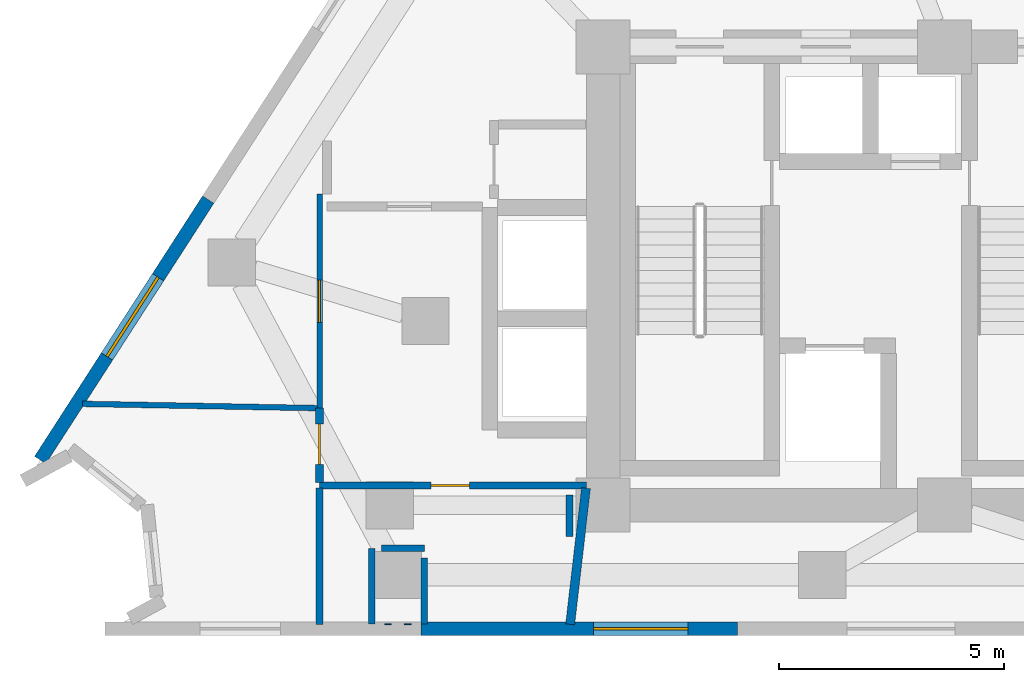
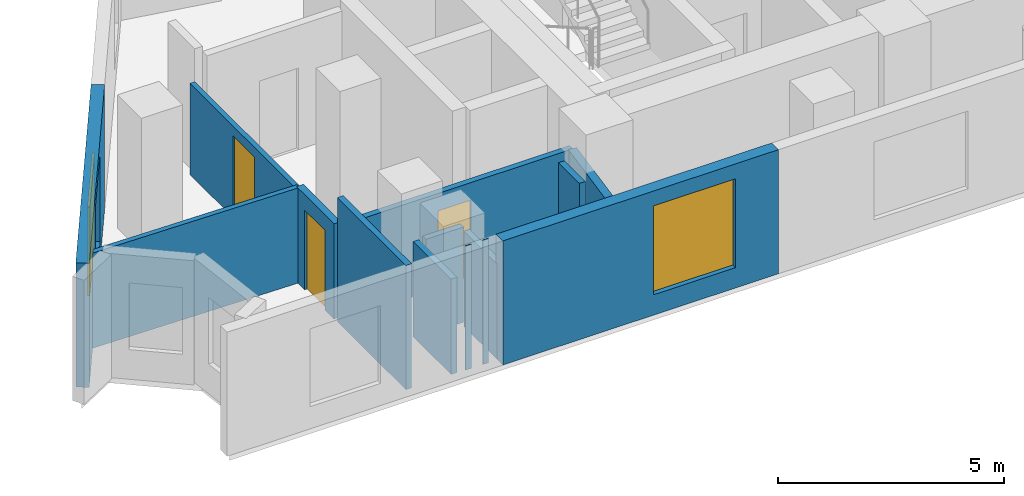
# One storey, part 5 of 10: 14 walls, 3 doors, 2 windows, 5 openings.
"""IFC4 building model written with IfcOpenShell, lengths in metres."""

from ifc_helpers import new_model, si_unit, direction, frame, frame_2d, origin, place, context, subcontext, project, spatial, rectangle, extrude, material, layer, layer_set, type_object, element, fill, save


model = new_model("IFC4")

# Units and contexts
model_context = context("Model", 3, precision=1e-05, world=origin(), true_north=direction((0.0, 1.0)))
body_context = subcontext(model_context, "Body", "Model", "MODEL_VIEW")
ifc_project = project(units=[si_unit("LENGTHUNIT", "METRE"), si_unit("AREAUNIT", "SQUARE_METRE"), si_unit("VOLUMEUNIT", "CUBIC_METRE"), si_unit("PLANEANGLEUNIT", "RADIAN"), si_unit("MASSUNIT", "GRAM", prefix="KILO")], contexts=[model_context])

# Site, building, storey
site_placement = place(None, origin())
site = spatial("IfcSite", under=ifc_project, at=site_placement, CompositionType="ELEMENT")
building_placement = place(site_placement, origin())
building = spatial("IfcBuilding", under=site, at=building_placement, Name="Almagre Mirador Tower", CompositionType="ELEMENT")
storey_placement = place(building_placement, frame((0.0, 0.0, 186.0)))
storey = spatial("IfcBuildingStorey", under=building, at=storey_placement, Name="L48", CompositionType="ELEMENT", Elevation=186.0)

# Wall, opening, window
ifc_material_1 = material(Name="Precast concrete C50/60", Category="concrete")
ifc_layer_1 = layer(ifc_material_1, 0.300048828125)
ifc_layer_set_1 = layer_set([ifc_layer_1], Name="Precast concrete C50/60")
wall_type_1 = type_object("IfcWallType", Name="WAL-EXT-300", PredefinedType="SOLIDWALL", material=ifc_layer_set_1)
wall_1_placement = place(storey_placement, frame((30.537353515625, 1.800048828125, 0.0), z_axis=(0.0, 0.0, 1.0), x_axis=(-1.0, 0.0, 0.0)))
wall_1 = element("IfcWall", 1, at=wall_1_placement, inside=storey, type_object=wall_type_1, Name="L48 expressed almagre precast frame wall 25", PredefinedType="SOLIDWALL", context=body_context, shape_type="SweptSolid", body=[
    extrude(rectangle(XDim=7.03857421875, YDim=0.300048828125, at=frame_2d((3.519287109375, 0.0))), origin(), (0.0, 0.0, 1.0), 3.35009765625),
])
opening_1_placement = place(wall_1_placement, frame((1.10009765625, 0.0, 0.550048828125)))
opening_1 = element("IfcOpeningElement", 2, at=opening_1_placement, cuts=wall_1, Name="Opening WN-05", PredefinedType="OPENING", context=body_context, shape_type="SweptSolid", body=[
    extrude(rectangle(XDim=2.10009765625, YDim=2.39990234375, at=frame_2d((1.050048828125, 1.199951171875))), frame((0.0, 0.159902, 0.0), z_axis=(0.0, -1.0, 0.0), x_axis=(1.0, 0.0, 0.0)), (0.0, 0.0, 1.0), 0.320049),
])
ifc_material_2 = material(Name="Dark solar-control laminated hurricane glass", Category="glass")
window_type = type_object("IfcWindowType", Name="WIN-2100X2400", PartitioningType="DOUBLE_PANEL_VERTICAL", PredefinedType="WINDOW", material=ifc_material_2)
window_1_placement = place(opening_1_placement, origin())
window_1 = element("IfcWindow", 3, at=window_1_placement, inside=storey, type_object=window_type, Name="L48 recessed hurricane window L48-UB-BT", OverallHeight=2.39990234375, OverallWidth=2.10009765625, PartitioningType="SINGLE_PANEL", PredefinedType="WINDOW", context=body_context, shape_type="SweptSolid", body=[
    extrude(rectangle(XDim=2.10009765625, YDim=2.39990234375, at=frame_2d((1.050048828125, 1.199951171875))), frame((0.0, 0.030029296875, 0.0), z_axis=(0.0, -1.0, 0.0), x_axis=(1.0, 0.0, 0.0)), (0.0, 0.0, 1.0), 0.06005859375),
])
fill(opening_1, window_1)

wall_2_placement = place(storey_placement, frame((15.022705078125, 5.555908203125, 0.0), z_axis=(0.0, 0.0, 1.0), x_axis=(0.542022034858, 0.840364274424, 0.0)))
wall_2 = element("IfcWall", 4, at=wall_2_placement, inside=storey, type_object=wall_type_1, Name="L48 expressed almagre precast frame wall 31", PredefinedType="SOLIDWALL", context=body_context, shape_type="SweptSolid", body=[
    extrude(rectangle(XDim=6.89599609375, YDim=0.300048828125, at=frame_2d((3.447998046875, 0.0))), origin(), (0.0, 0.0, 1.0), 3.35009765625),
])
opening_2_placement = place(wall_2_placement, frame((2.739990234375, 0.0, 0.550048828125)))
opening_2 = element("IfcOpeningElement", 5, at=opening_2_placement, cuts=wall_2, Name="Opening WN-05", PredefinedType="OPENING", context=body_context, shape_type="SweptSolid", body=[
    extrude(rectangle(XDim=2.10009765625, YDim=2.39990234375, at=frame_2d((1.050048828125, 1.199951171875))), frame((0.0, 0.159902, 0.0), z_axis=(0.0, -1.0, 0.0), x_axis=(1.0, 0.0, 0.0)), (0.0, 0.0, 1.0), 0.320049),
])
window_2_placement = place(opening_2_placement, origin())
window_2 = element("IfcWindow", 6, at=window_2_placement, inside=storey, type_object=window_type, Name="L48 recessed hurricane window L48-UA-KT", OverallHeight=2.39990234375, OverallWidth=2.10009765625, PartitioningType="SINGLE_PANEL", PredefinedType="WINDOW", context=body_context, shape_type="SweptSolid", body=[
    extrude(rectangle(XDim=2.10009765625, YDim=2.39990234375, at=frame_2d((1.050048828125, 1.199951171875))), frame((0.0, 0.030029296875, 0.0), z_axis=(0.0, -1.0, 0.0), x_axis=(1.0, 0.0, 0.0)), (0.0, 0.0, 1.0), 0.06005859375),
])
fill(opening_2, window_2)

# Wall, opening, door
ifc_material_3 = material(Name="Gypsum acoustic stud partition", Category="other")
ifc_layer_2 = layer(ifc_material_3, 0.125)
ifc_layer_set_2 = layer_set([ifc_layer_2], Name="Gypsum acoustic stud partition")
wall_type_2 = type_object("IfcWallType", Name="WAL-PRT-125-UTL", PredefinedType="PARTITIONING", material=ifc_layer_set_2)
wall_3_placement = place(storey_placement, frame((21.239990234375, 11.469970703125, 0.0), z_axis=(0.0, 0.0, 1.0), x_axis=(0.0, -1.0, 0.0)))
wall_3 = element("IfcWall", 7, at=wall_3_placement, inside=storey, type_object=wall_type_2, Name="L48 interior partition 023", PredefinedType="PARTITIONING", context=body_context, shape_type="SweptSolid", body=[
    extrude(rectangle(XDim=4.760009765625, YDim=0.125, at=frame_2d((2.3798828125, 0.0))), origin(), (0.0, 0.0, 1.0), 2.464111328125),
])
opening_3_placement = place(wall_3_placement, frame((1.905029296875, 0.0, 0.0)))
opening_3 = element("IfcOpeningElement", 8, at=opening_3_placement, cuts=wall_3, Name="Opening UD-01", PredefinedType="OPENING", context=body_context, shape_type="SweptSolid", body=[
    extrude(rectangle(XDim=0.949951171875, YDim=2.199951171875, at=frame_2d((0.47509765625, 1.10009765625))), frame((0.0, 0.0725, 0.0), z_axis=(0.0, -1.0, 0.0), x_axis=(1.0, 0.0, 0.0)), (0.0, 0.0, 1.0), 0.145),
])
ifc_material_4 = material(Name="Solid American walnut timber", Category="wood")
door_type_1 = type_object("IfcDoorType", Name="DOR-UNR-950X2200", OperationType="NOTDEFINED", PredefinedType="DOOR", material=ifc_material_4)
door_1_placement = place(opening_3_placement, origin())
door_1 = element("IfcDoor", 9, at=door_1_placement, inside=storey, type_object=door_type_1, Name="DR-1518 L48 interior door L48-UA-LV to L48-UA-KT", OperationType="SINGLE_SWING_RIGHT", OverallHeight=2.199951171875, OverallWidth=0.949951171875, PredefinedType="DOOR", context=body_context, shape_type="SweptSolid", body=[
    extrude(rectangle(XDim=0.949951171875, YDim=2.199951171875, at=frame_2d((0.47509765625, 1.10009765625))), frame((0.0, 0.02490234375, 0.0), z_axis=(0.0, -1.0, 0.0), x_axis=(1.0, 0.0, 0.0)), (0.0, 0.0, 1.0), 0.050048828125),
])
fill(opening_3, door_1)

# Wall
wall_4_placement = place(storey_placement, frame((15.962890625, 6.804931640625, 0.0), z_axis=(0.0, 0.0, 1.0), x_axis=(0.999837669576, -0.018017616268, 0.0)))
element("IfcWall", 10, at=wall_4_placement, inside=storey, type_object=wall_type_2, Name="L48 interior partition 027", PredefinedType="PARTITIONING", context=body_context, shape_type="SweptSolid", body=[
    extrude(rectangle(XDim=5.230224609375, YDim=0.125, at=frame_2d((2.615234375, 0.0))), origin(), (0.0, 0.0, 1.0), 2.570068359375),
])

# Wall, opening, door
ifc_material_5 = material(Name="Gypsum acoustic stud partition", Category="other")
ifc_layer_3 = layer(ifc_material_5, 0.14990234375)
ifc_layer_set_3 = layer_set([ifc_layer_3], Name="Gypsum acoustic stud partition")
wall_type_3 = type_object("IfcWallType", Name="WAL-PRT-150-STD", PredefinedType="PARTITIONING", material=ifc_layer_set_3)
wall_5_placement = place(storey_placement, frame((21.239990234375, 4.989990234375, 0.0), z_axis=(0.0, 0.0, 1.0), x_axis=(1.0, 0.0, 0.0)))
wall_5 = element("IfcWall", 11, at=wall_5_placement, inside=storey, type_object=wall_type_3, Name="L48 interior partition 022", PredefinedType="PARTITIONING", context=body_context, shape_type="SweptSolid", body=[
    extrude(rectangle(XDim=5.93505859375, YDim=0.14990234375, at=frame_2d((2.967529296875, 0.0))), origin(), (0.0, 0.0, 1.0), 2.570068359375),
])
opening_4_placement = place(wall_5_placement, frame((2.48388671875, 0.0, 0.0)))
opening_4 = element("IfcOpeningElement", 12, at=opening_4_placement, cuts=wall_5, Name="Opening UD-04", PredefinedType="OPENING", context=body_context, shape_type="SweptSolid", body=[
    extrude(rectangle(XDim=0.85009765625, YDim=2.10009765625, at=frame_2d((0.425048828125, 1.050048828125))), frame((0.0, 0.084951, 0.0), z_axis=(0.0, -1.0, 0.0), x_axis=(1.0, 0.0, 0.0)), (0.0, 0.0, 1.0), 0.169902),
])
ifc_material_6 = material(Name="Moisture-resistant oak timber", Category="wood")
door_type_2 = type_object("IfcDoorType", Name="DOR-UNR-850X2100", OperationType="NOTDEFINED", PredefinedType="DOOR", material=ifc_material_6)
door_2_placement = place(opening_4_placement, origin())
door_2 = element("IfcDoor", 13, at=door_2_placement, inside=storey, type_object=door_type_2, Name="DR-1519 L48 interior door L48-UA-LV to L48-UA-HB", OperationType="SINGLE_SWING_LEFT", OverallHeight=2.10009765625, OverallWidth=0.85009765625, PredefinedType="DOOR", context=body_context, shape_type="SweptSolid", body=[
    extrude(rectangle(XDim=0.85009765625, YDim=2.10009765625, at=frame_2d((0.425048828125, 1.050048828125))), frame((0.0, 0.02490234375, 0.0), z_axis=(0.0, -1.0, 0.0), x_axis=(1.0, 0.0, 0.0)), (0.0, 0.0, 1.0), 0.050048828125),
])
fill(opening_4, door_2)

# Walls
wall_6_placement = place(storey_placement, frame((21.239990234375, 4.929931640625, 0.0), z_axis=(0.0, 0.0, 1.0), x_axis=(0.0, -1.0, 0.0)))
element("IfcWall", 14, at=wall_6_placement, inside=storey, type_object=wall_type_3, Name="L48 interior partition 025", PredefinedType="PARTITIONING", context=body_context, shape_type="SweptSolid", body=[
    extrude(rectangle(XDim=3.030029296875, YDim=0.14990234375, at=frame_2d((1.51513671875, 0.0))), origin(), (0.0, 0.0, 1.0), 3.35009765625),
])
wall_7_placement = place(storey_placement, frame((22.760009765625, 1.888916015625, 0.0), z_axis=(0.0, 0.0, 1.0), x_axis=(0.0, 1.0, 0.0)))
element("IfcWall", 15, at=wall_7_placement, inside=storey, type_object=wall_type_3, Name="L48 interior partition 056", PredefinedType="PARTITIONING", context=body_context, shape_type="SweptSolid", body=[
    extrude(rectangle(XDim=0.02001953125, YDim=0.14990234375, at=frame_2d((0.010009765625, 0.0))), origin(), (0.0, 0.0, 1.0), 3.35009765625),
])
wall_8_placement = place(storey_placement, frame((22.39990234375, 1.908935546875, 0.0), z_axis=(0.0, 0.0, 1.0), x_axis=(0.0, 1.0, 0.0)))
element("IfcWall", 16, at=wall_8_placement, inside=storey, type_object=wall_type_3, Name="L48 interior partition 057", PredefinedType="PARTITIONING", context=body_context, shape_type="SweptSolid", body=[
    extrude(rectangle(XDim=1.68115234375, YDim=0.14990234375, at=frame_2d((0.840576171875, 0.0))), origin(), (0.0, 0.0, 1.0), 2.570068359375),
])
wall_9_placement = place(storey_placement, frame((22.614990234375, 3.590087890625, 0.0), z_axis=(0.0, 0.0, 1.0), x_axis=(1.0, 0.0, 0.0)))
element("IfcWall", 17, at=wall_9_placement, inside=storey, type_object=wall_type_3, Name="L48 interior partition 058", PredefinedType="PARTITIONING", context=body_context, shape_type="SweptSolid", body=[
    extrude(rectangle(XDim=0.955078125, YDim=0.14990234375, at=frame_2d((0.4775390625, 0.0))), origin(), (0.0, 0.0, 1.0), 2.570068359375),
])
wall_10_placement = place(storey_placement, frame((23.570068359375, 3.375, 0.0), z_axis=(0.0, 0.0, 1.0), x_axis=(0.0, -1.0, 0.0)))
element("IfcWall", 18, at=wall_10_placement, inside=storey, type_object=wall_type_3, Name="L48 interior partition 059", PredefinedType="PARTITIONING", context=body_context, shape_type="SweptSolid", body=[
    extrude(rectangle(XDim=1.466064453125, YDim=0.14990234375, at=frame_2d((0.73291015625, 0.0))), origin(), (0.0, 0.0, 1.0), 2.570068359375),
])
wall_11_placement = place(storey_placement, frame((23.199951171875, 1.908935546875, 0.0), z_axis=(0.0, 0.0, 1.0), x_axis=(0.0, -1.0, 0.0)))
element("IfcWall", 19, at=wall_11_placement, inside=storey, type_object=wall_type_3, Name="L48 interior partition 060", PredefinedType="PARTITIONING", context=body_context, shape_type="SweptSolid", body=[
    extrude(rectangle(XDim=0.02001953125, YDim=0.14990234375, at=frame_2d((0.010009765625, 0.0))), origin(), (0.0, 0.0, 1.0), 3.35009765625),
])
wall_12_placement = place(storey_placement, frame((26.800048828125, 3.85595703125, 0.0), z_axis=(0.0, 0.0, 1.0), x_axis=(0.0, 1.0, 0.0)))
element("IfcWall", 20, at=wall_12_placement, inside=storey, type_object=wall_type_3, Name="L48 interior partition 062", PredefinedType="PARTITIONING", context=body_context, shape_type="SweptSolid", body=[
    extrude(rectangle(XDim=0.9189453125, YDim=0.14990234375, at=frame_2d((0.45947265625, 0.0))), origin(), (0.0, 0.0, 1.0), 2.43603515625),
])

# Wall, opening, door
ifc_material_7 = material(Name="Gypsum acoustic stud partition", Category="other")
ifc_layer_4 = layer(ifc_material_7, 0.175048828125)
ifc_layer_set_4 = layer_set([ifc_layer_4], Name="Gypsum acoustic stud partition")
wall_type_4 = type_object("IfcWallType", Name="WAL-PRT-175-AC", PredefinedType="PARTITIONING", material=ifc_layer_set_4)
wall_13_placement = place(storey_placement, frame((21.239990234375, 6.7099609375, 0.0), z_axis=(0.0, 0.0, 1.0), x_axis=(0.0, -1.0, 0.0)))
wall_13 = element("IfcWall", 21, at=wall_13_placement, inside=storey, type_object=wall_type_4, Name="L48 interior partition 024", PredefinedType="PARTITIONING", context=body_context, shape_type="SweptSolid", body=[
    extrude(rectangle(XDim=1.659912109375, YDim=0.175048828125, at=frame_2d((0.830078125, 0.0))), origin(), (0.0, 0.0, 1.0), 2.570068359375),
])
opening_5_placement = place(wall_13_placement, frame((0.35595703125, 0.0, 0.0)))
opening_5 = element("IfcOpeningElement", 22, at=opening_5_placement, cuts=wall_13, Name="Opening UD-02", PredefinedType="OPENING", context=body_context, shape_type="SweptSolid", body=[
    extrude(rectangle(XDim=0.89990234375, YDim=2.14990234375, at=frame_2d((0.449951171875, 1.074951171875))), frame((0.0, 0.097402, 0.0), z_axis=(0.0, -1.0, 0.0), x_axis=(1.0, 0.0, 0.0)), (0.0, 0.0, 1.0), 0.195049),
])
ifc_material_8 = material(Name="Solid American walnut timber", Category="wood")
door_type_3 = type_object("IfcDoorType", Name="DOR-UNR-900X2150", OperationType="NOTDEFINED", PredefinedType="DOOR", material=ifc_material_8)
door_3_placement = place(opening_5_placement, origin())
door_3 = element("IfcDoor", 23, at=door_3_placement, inside=storey, type_object=door_type_3, Name="DR-1520 L48 interior door L48-UA-LV to L48-UA-MB", OperationType="SINGLE_SWING_RIGHT", OverallHeight=2.14990234375, OverallWidth=0.89990234375, PredefinedType="DOOR", context=body_context, shape_type="SweptSolid", body=[
    extrude(rectangle(XDim=0.89990234375, YDim=2.14990234375, at=frame_2d((0.449951171875, 1.074951171875))), frame((0.0, 0.02490234375, 0.0), z_axis=(0.0, -1.0, 0.0), x_axis=(1.0, 0.0, 0.0)), (0.0, 0.0, 1.0), 0.050048828125),
])
fill(opening_5, door_3)

# Wall
ifc_material_9 = material(Name="Gypsum acoustic stud partition", Category="other")
ifc_layer_5 = layer(ifc_material_9, 0.199951171875)
ifc_layer_set_5 = layer_set([ifc_layer_5], Name="Gypsum acoustic stud partition")
wall_type_5 = type_object("IfcWallType", Name="WAL-PRT-200-EI60", PredefinedType="PARTITIONING", material=ifc_layer_set_5)
wall_14_placement = place(storey_placement, frame((26.81591796875, 1.89892578125, 0.0), z_axis=(0.0, 0.0, 1.0), x_axis=(0.115355846157, 0.993324231436, 0.0)))
element("IfcWall", 24, at=wall_14_placement, inside=storey, type_object=wall_type_5, Name="L48 interior partition 026", PredefinedType="PARTITIONING", context=body_context, shape_type="SweptSolid", body=[
    extrude(rectangle(XDim=3.0517578125, YDim=0.199951171875, at=frame_2d((1.52587890625, 0.0))), origin(), (0.0, 0.0, 1.0), 2.570068359375),
])

save(model, "model.ifc")
